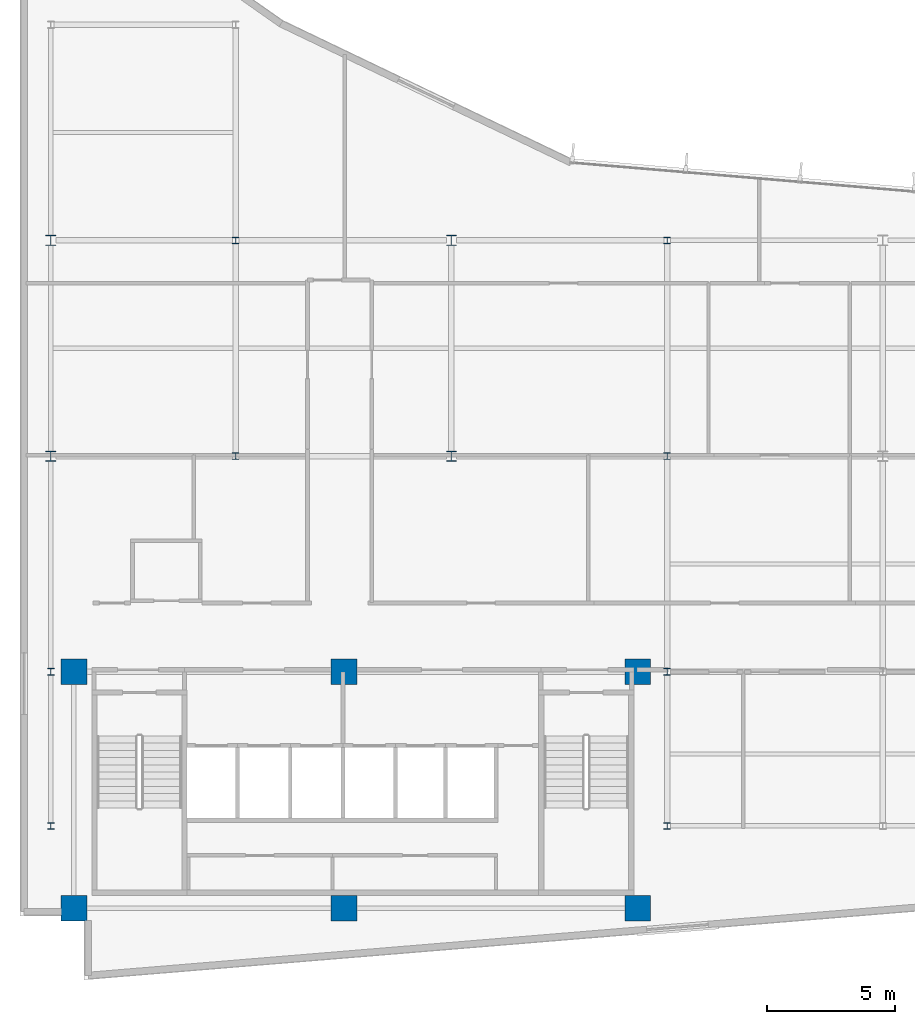
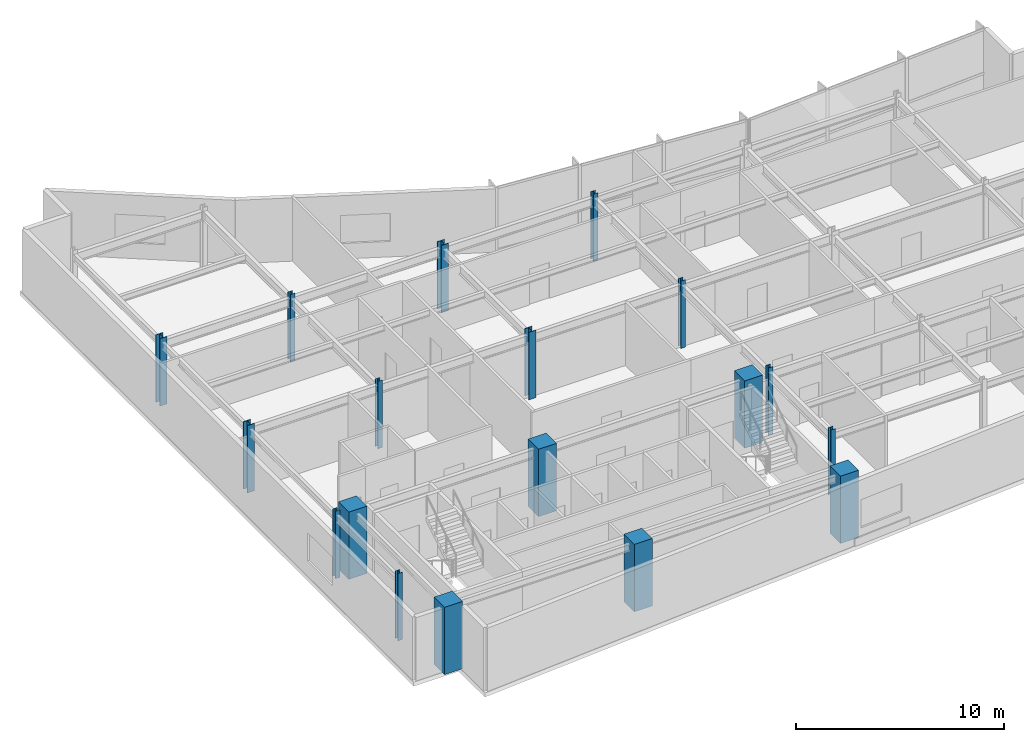
# One storey, part 1 of 14: 18 columns.
"""IFC4 building model written with IfcOpenShell, lengths in metres."""

import ifcopenshell
import ifcopenshell.guid

model = None  # the IFC model being written
_history = None  # IfcOwnerHistory: only IFC2X3 demands one
_inside = {}  # id of a spatial element -> (the spatial element, [elements in it])
_under = {}  # id of a project, library or spatial element -> (it, [spatial elements below it])
_declared = {}  # id of a project -> (the project, [libraries it declares])
_typed = {}  # id of a type object -> (the type object, [elements of that type])
_made_of = {}  # id of a material, layer set ... -> (it, [elements and type objects made of it])


def new_model(schema):
    """Start an empty IFC model of exactly this schema.

    Asked for "IFC4X3", IfcOpenShell would pick the latest addendum, in which some entities
    have other attributes; the version numbers below select the first issue.
    IFC2X3 requires an IfcOwnerHistory on every rooted entity: one is made here for all.
    """
    global model, _history
    if schema == "IFC4X3":
        model = ifcopenshell.file(schema_version=(4, 3, 0, 0))
    else:
        model = ifcopenshell.file(schema=schema)
    _inside.clear()
    _under.clear()
    _declared.clear()
    _typed.clear()
    _made_of.clear()
    _history = None
    if model.schema == "IFC2X3":
        org = make("IfcOrganization", Name="unknown")
        user = make(
            "IfcPersonAndOrganization",
            ThePerson=make("IfcPerson", FamilyName="unknown"),
            TheOrganization=org,
        )
        app = make(
            "IfcApplication",
            ApplicationDeveloper=org,
            Version="unknown",
            ApplicationFullName="unknown",
            ApplicationIdentifier="unknown",
        )
        _history = make(
            "IfcOwnerHistory",
            OwningUser=user,
            OwningApplication=app,
            ChangeAction="ADDED",
            CreationDate=0,
        )
    return model


def make(cls, **values):
    """One entity of the class cls with the attributes given. An attribute that is None is left unset."""
    return model.create_entity(
        cls, **{name: value for name, value in values.items() if value is not None}
    )


def rooted(cls, **values):
    """An entity with a GlobalId (a new one), such as an element, a storey or a relation."""
    return make(cls, GlobalId=ifcopenshell.guid.new(), OwnerHistory=_history, **values)


def si_unit(unit_type, name, prefix=None):
    """IfcSIUnit, for example si_unit("LENGTHUNIT", "METRE", prefix="MILLI")."""
    return make("IfcSIUnit", UnitType=unit_type, Prefix=prefix, Name=name)


def assignment(units):
    """IfcUnitAssignment: the units of a project."""
    return None if units is None else make("IfcUnitAssignment", Units=units)


def point(xyz):
    """IfcCartesianPoint."""
    return None if xyz is None else make("IfcCartesianPoint", Coordinates=xyz)


def direction(xyz):
    """IfcDirection."""
    return None if xyz is None else make("IfcDirection", DirectionRatios=xyz)


def frame(location, z_axis=None, x_axis=None):
    """IfcAxis2Placement3D, a coordinate frame: its origin and axes. An axis left out is left unset."""
    return make(
        "IfcAxis2Placement3D",
        Location=point(location),
        Axis=direction(z_axis),
        RefDirection=direction(x_axis),
    )


def frame_2d(location, x_axis=None):
    """IfcAxis2Placement2D, a coordinate frame in the plane: its origin and x axis."""
    return make(
        "IfcAxis2Placement2D", Location=point(location), RefDirection=direction(x_axis)
    )


def origin():
    """The frame at (0, 0, 0) with its axes left unset."""
    return frame((0.0, 0.0, 0.0))


def origin_2d():
    """The frame at (0, 0) in the plane with its x axis left unset."""
    return frame_2d((0.0, 0.0))


def place(relative_to, where):
    """IfcLocalPlacement: puts the frame where relative to a parent placement (None: the world)."""
    return make(
        "IfcLocalPlacement", PlacementRelTo=relative_to, RelativePlacement=where
    )


def context(
    kind, dimensions, precision=None, world=None, true_north=None, identifier=None
):
    """IfcGeometricRepresentationContext, for example the 3D "Model" context."""
    return make(
        "IfcGeometricRepresentationContext",
        ContextIdentifier=identifier,
        ContextType=kind,
        CoordinateSpaceDimension=dimensions,
        Precision=precision,
        WorldCoordinateSystem=world,
        TrueNorth=true_north,
    )


def subcontext(parent, identifier, kind, view, scale=None):
    """IfcGeometricRepresentationSubContext, for example "Body" below "Model"."""
    return make(
        "IfcGeometricRepresentationSubContext",
        ContextIdentifier=identifier,
        ContextType=kind,
        ParentContext=parent,
        TargetScale=scale,
        TargetView=view,
    )


def project(units=None, contexts=None):
    """IfcProject with its units and contexts."""
    return rooted(
        "IfcProject",
        Name="project",
        RepresentationContexts=contexts,
        UnitsInContext=assignment(units),
    )


def spatial(cls, under=None, at=None, **own):
    """A site, building, storey or space (cls), placed at a placement, below another one or the project."""
    s = rooted(cls, ObjectPlacement=at, **own)
    if under is not None:
        _under.setdefault(under.id(), (under, []))[1].append(s)
    return s


def profile(cls, at=None, kind="AREA", **sizes):
    """A parametric profile (cls). Its sizes go by their IFC names, for example OverallWidth=200.0."""
    return make(cls, ProfileType=kind, Position=at, **sizes)


def rectangle(**sizes):
    """IfcRectangleProfileDef."""
    return profile("IfcRectangleProfileDef", **sizes)


def i_section(**sizes):
    """IfcIShapeProfileDef."""
    return profile("IfcIShapeProfileDef", **sizes)


def extrude(swept, where, along, depth):
    """IfcExtrudedAreaSolid: the profile swept, set in the frame where, extruded along a direction by depth."""
    return make(
        "IfcExtrudedAreaSolid",
        SweptArea=swept,
        Position=where,
        ExtrudedDirection=direction(along),
        Depth=depth,
    )


def shape(context_of_items, identifier, shape_type, items):
    """IfcShapeRepresentation: the items that make up one representation, for example the "Body"."""
    return make(
        "IfcShapeRepresentation",
        ContextOfItems=context_of_items,
        RepresentationIdentifier=identifier,
        RepresentationType=shape_type,
        Items=items,
    )


def material(Name=None, Category=None):
    """IfcMaterial."""
    return make("IfcMaterial", Name=Name, Category=Category)


def material_profile(
    of_material, cross_section, Name=None, Category=None, Priority=None
):
    """IfcMaterialProfile: a cross section and its material."""
    return make(
        "IfcMaterialProfile",
        Name=Name,
        Material=of_material,
        Profile=cross_section,
        Priority=Priority,
        Category=Category,
    )


def profile_set(profiles, Name=None, composite=None):
    """IfcMaterialProfileSet."""
    return make(
        "IfcMaterialProfileSet",
        Name=Name,
        MaterialProfiles=profiles,
        CompositeProfile=composite,
    )


def made_of(thing, what):
    """Note that an element or type object is made of a material, layer set ...; save() writes the relation."""
    if what is not None:
        _made_of.setdefault(what.id(), (what, []))[1].append(thing)
    return thing


def type_object(cls, material=None, **own):
    """A type object (cls), such as IfcWallType, which elements share."""
    return made_of(rooted(cls, **own), material)


def element(
    cls,
    number,
    at=None,
    inside=None,
    cuts=None,
    type_object=None,
    material=None,
    context=None,
    identifier="Body",
    shape_type=None,
    held_by="IfcProductDefinitionShape",
    body=None,
    shapes=None,
    **own,
):
    """One element of the class cls, such as IfcWall. Its Tag is "e" and its number.

    at: its placement. inside: the storey or other place that contains it. cuts: it is an
    opening in that element (IfcRelVoidsElement). A single representation is given by context,
    identifier, shape_type and body (its items); several are given by shapes. held_by: the class
    of the entity that holds the representations. save() writes the other relations.
    """
    e = rooted(cls, Tag="e%d" % number, ObjectPlacement=at, **own)
    if body is not None:
        shapes = [shape(context, identifier, shape_type, body)]
    if shapes is not None:
        e.Representation = make(held_by, Representations=shapes)
    if inside is not None:
        _inside.setdefault(inside.id(), (inside, []))[1].append(e)
    if cuts is not None:
        rooted(
            "IfcRelVoidsElement", RelatingBuildingElement=cuts, RelatedOpeningElement=e
        )
    if type_object is not None:
        _typed.setdefault(type_object.id(), (type_object, []))[1].append(e)
    return made_of(e, material)


def aggregate(whole, parts):
    """IfcRelAggregates: a whole, such as a stair, and the parts it consists of."""
    return rooted("IfcRelAggregates", RelatingObject=whole, RelatedObjects=parts)


def save(model, path):
    """Write the relations noted so far, then the file.

    IfcRelAggregates (storeys below a building ...), IfcRelContainedInSpatialStructure (elements
    in a storey), IfcRelDefinesByType, IfcRelAssociatesMaterial and IfcRelDeclares: one each for
    every whole, place, type object, material and project.
    """
    for whole, parts in _under.values():
        aggregate(whole, parts)
    for where, things in _inside.values():
        rooted(
            "IfcRelContainedInSpatialStructure",
            RelatedElements=things,
            RelatingStructure=where,
        )
    for kind, things in _typed.values():
        rooted("IfcRelDefinesByType", RelatedObjects=things, RelatingType=kind)
    for what, things in _made_of.values():
        rooted("IfcRelAssociatesMaterial", RelatedObjects=things, RelatingMaterial=what)
    for by, libraries in _declared.values():
        rooted("IfcRelDeclares", RelatingContext=by, RelatedDefinitions=libraries)
    model.write(path)


model = new_model("IFC4")

# Units and contexts
model_context = context("Model", 3, precision=1e-05, world=origin(), true_north=direction((0.0, 1.0)))
body_context = subcontext(model_context, "Body", "Model", "MODEL_VIEW")
ifc_project = project(units=[si_unit("LENGTHUNIT", "METRE"), si_unit("AREAUNIT", "SQUARE_METRE"), si_unit("VOLUMEUNIT", "CUBIC_METRE"), si_unit("PLANEANGLEUNIT", "RADIAN"), si_unit("MASSUNIT", "GRAM", prefix="KILO")], contexts=[model_context])

# Site, building, storey
site_placement = place(None, origin())
site = spatial("IfcSite", under=ifc_project, at=site_placement, CompositionType="ELEMENT")
building_placement = place(site_placement, origin())
building = spatial("IfcBuilding", under=site, at=building_placement, Name="Varnakote Quay Hospital", CompositionType="ELEMENT")
storey_placement = place(building_placement, frame((0.0, 0.0, 211.85009765625)))
storey = spatial("IfcBuildingStorey", under=building, at=storey_placement, Name="L52", CompositionType="ELEMENT", Elevation=211.85009765625)

# Columns
ifc_material_1 = material(Name="Concrete N65 (f'c 65 MPa)", Category="concrete")
ifc_material_profile_1 = material_profile(ifc_material_1, rectangle(XDim=1.0, YDim=1.0, at=origin_2d()), Name="RC-COL-1000x1000")
ifc_profile_set_1 = profile_set([ifc_material_profile_1], Name="Concrete N65 (f'c 65 MPa)")
column_type_1 = type_object("IfcColumnType", Name="COL-RC-1000", PredefinedType="COLUMN", material=ifc_profile_set_1)
for number, where, z_axis, x_axis, name in (
    (1, (2.10009765625, 2.800048828125, 0.0), (0.0, 0.0, 1.0), (1.0, 0.0, 0.0), "L52 Structural Column C-2-3"),
    (2, (12.6201171875, 2.800048828125, 0.0), (0.0, 0.0, 1.0), (1.0, 0.0, 0.0), "L52 Structural Column C-13-3"),
    (3, (24.050048828125, 2.800048828125, 0.0), (0.0, 0.0, 1.0), (1.0, 0.0, 0.0), "L52 Structural Column C-24-3"),
    (4, (2.10009765625, 12.0, 0.0), (0.0, 0.0, 1.0), (1.0, 0.0, 0.0), "L52 Structural Column C-2-12"),
    (5, (12.6201171875, 12.0, 0.0), (0.0, 0.0, 1.0), (1.0, 0.0, 0.0), "L52 Structural Column C-13-12"),
    (6, (24.050048828125, 12.0, 0.0), (0.0, 0.0, 1.0), (1.0, 0.0, 0.0), "L52 Structural Column C-24-12"),
):
    element("IfcColumn", number, at=place(storey_placement, frame(where, z_axis=z_axis, x_axis=x_axis)), inside=storey, type_object=column_type_1, Name=name, PredefinedType="COLUMN", context=body_context, shape_type="SweptSolid", body=[
        extrude(rectangle(XDim=1.0, YDim=1.0, at=origin_2d()), origin(), (0.0, 0.0, 1.0), 3.949951171875),
    ])
ifc_material_2 = material(Name="Structural steel AS/NZS 3679.1 Grade 350 L0 (fy 340 MPa)", Category="steel")
ifc_material_profile_2 = material_profile(ifc_material_2, i_section(OverallWidth=0.256103515625, OverallDepth=0.260009765625, WebThickness=0.010498046875, FlangeThickness=0.017333984375, FilletRadius=0.0126953125, at=origin_2d()), Name="250UC89.5")
ifc_profile_set_2 = profile_set([ifc_material_profile_2], Name="Structural steel AS/NZS 3679.1 Grade 350 L0 (fy 340 MPa)")
column_type_2 = type_object("IfcColumnType", Name="COL-STL-250UC89-5", PredefinedType="COLUMN", material=ifc_profile_set_2)
for number, where, z_axis, x_axis, name in (
    (7, (1.199951171875, 6.0, 0.0), (0.0, 0.0, 1.0), (1.0, 0.0, 0.0), "L52 Structural Column C-1-6"),
    (8, (25.199951171875, 6.0, 0.0), (0.0, 0.0, 1.0), (1.0, 0.0, 0.0), "L52 Structural Column C-25-6"),
    (9, (1.199951171875, 12.0, 0.0), (0.0, 0.0, 1.0), (1.0, 0.0, 0.0), "L52 Structural Column C-1-12"),
    (10, (25.199951171875, 12.0, 0.0), (0.0, 0.0, 1.0), (1.0, 0.0, 0.0), "L52 Structural Column C-25-12"),
    (11, (8.39990234375, 20.39990234375, 0.0), (0.0, 0.0, 1.0), (1.0, 0.0, 0.0), "L52 Structural Column C-8-20"),
    (12, (25.199951171875, 20.39990234375, 0.0), (0.0, 0.0, 1.0), (1.0, 0.0, 0.0), "L52 Structural Column C-25-20"),
    (13, (8.39990234375, 28.800048828125, 0.0), (0.0, 0.0, 1.0), (1.0, 0.0, 0.0), "L52 Structural Column C-8-29"),
    (14, (25.199951171875, 28.800048828125, 0.0), (0.0, 0.0, 1.0), (1.0, 0.0, 0.0), "L52 Structural Column C-25-29"),
):
    element("IfcColumn", number, at=place(storey_placement, frame(where, z_axis=z_axis, x_axis=x_axis)), inside=storey, type_object=column_type_2, Name=name, PredefinedType="COLUMN", context=body_context, shape_type="SweptSolid", body=[
        extrude(i_section(OverallWidth=0.256103515625, OverallDepth=0.260009765625, WebThickness=0.010498046875, FlangeThickness=0.017333984375, FilletRadius=0.0126953125, at=origin_2d()), origin(), (0.0, 0.0, 1.0), 3.949951171875),
    ])
ifc_material_3 = material(Name="Structural steel AS/NZS 3678 Grade 350 (fy 340 MPa)", Category="steel")
ifc_material_profile_3 = material_profile(ifc_material_3, i_section(OverallWidth=0.39990234375, OverallDepth=0.404052734375, WebThickness=0.02001953125, FlangeThickness=0.031982421875, at=origin_2d()), Name="400WC270")
ifc_profile_set_3 = profile_set([ifc_material_profile_3], Name="Structural steel AS/NZS 3678 Grade 350 (fy 340 MPa)")
column_type_3 = type_object("IfcColumnType", Name="COL-STL-400WC270", PredefinedType="COLUMN", material=ifc_profile_set_3)
for number, where, z_axis, x_axis, name in (
    (15, (1.199951171875, 20.39990234375, 0.0), (0.0, 0.0, 1.0), (1.0, 0.0, 0.0), "L52 Structural Column C-1-20"),
    (16, (16.800048828125, 20.39990234375, 0.0), (0.0, 0.0, 1.0), (1.0, 0.0, 0.0), "L52 Structural Column C-17-20"),
    (17, (1.199951171875, 28.800048828125, 0.0), (0.0, 0.0, 1.0), (1.0, 0.0, 0.0), "L52 Structural Column C-1-29"),
    (18, (16.800048828125, 28.800048828125, 0.0), (0.0, 0.0, 1.0), (1.0, 0.0, 0.0), "L52 Structural Column C-17-29"),
):
    element("IfcColumn", number, at=place(storey_placement, frame(where, z_axis=z_axis, x_axis=x_axis)), inside=storey, type_object=column_type_3, Name=name, PredefinedType="COLUMN", context=body_context, shape_type="SweptSolid", body=[
        extrude(i_section(OverallWidth=0.39990234375, OverallDepth=0.404052734375, WebThickness=0.02001953125, FlangeThickness=0.031982421875, at=origin_2d()), origin(), (0.0, 0.0, 1.0), 3.949951171875),
    ])

save(model, "model.ifc")
